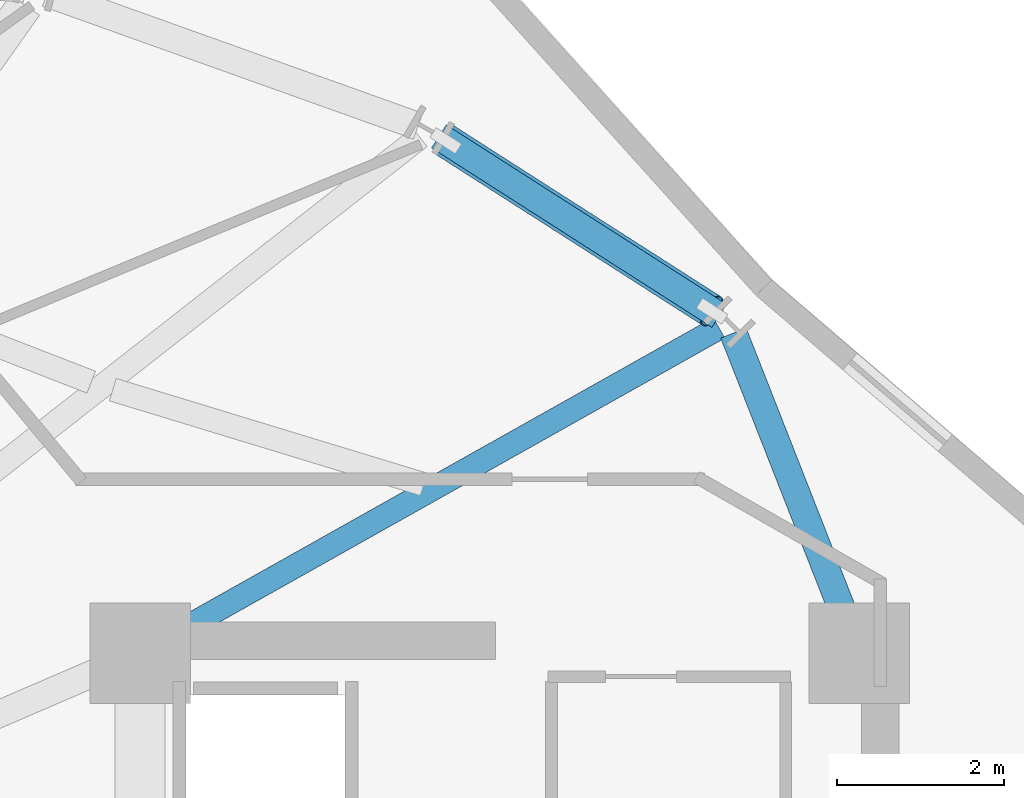
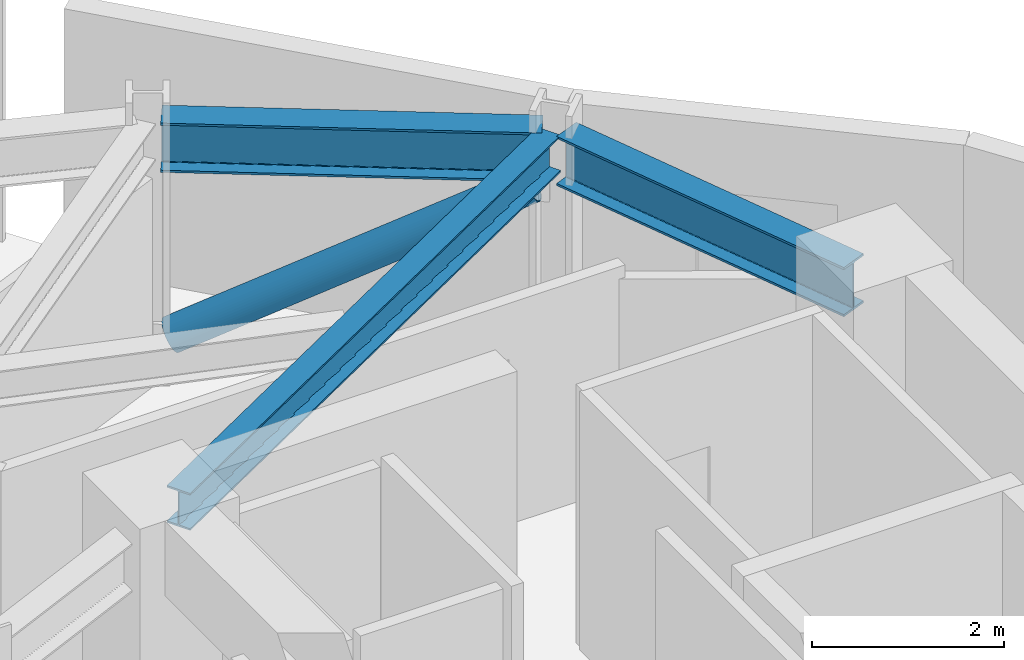
# One storey, part 12 of 24: 3 beams, 1 member.
"""IFC4 building model written with IfcOpenShell, lengths in metres."""

from ifc_helpers import new_model, si_unit, direction, frame, origin, origin_2d, place, context, subcontext, project, spatial, hollow_circle, i_section, extrude, material, material_profile, profile_set, type_object, element, save


model = new_model("IFC4")

# Units and contexts
model_context = context("Model", 3, precision=1e-05, world=origin(), true_north=direction((0.0, 1.0)))
body_context = subcontext(model_context, "Body", "Model", "MODEL_VIEW")
ifc_project = project(units=[si_unit("LENGTHUNIT", "METRE"), si_unit("AREAUNIT", "SQUARE_METRE"), si_unit("VOLUMEUNIT", "CUBIC_METRE"), si_unit("PLANEANGLEUNIT", "RADIAN"), si_unit("MASSUNIT", "GRAM", prefix="KILO")], contexts=[model_context])

# Site, building, storey
site_placement = place(None, origin())
site = spatial("IfcSite", under=ifc_project, at=site_placement, CompositionType="ELEMENT")
building_placement = place(site_placement, origin())
building = spatial("IfcBuilding", under=site, at=building_placement, Name="Solvane Sanctuary Tower", CompositionType="ELEMENT")
storey_placement = place(building_placement, frame((0.0, 0.0, 253.199951171875)))
storey = spatial("IfcBuildingStorey", under=building, at=storey_placement, Name="L77", CompositionType="ELEMENT", Elevation=253.199951171875)

# Beams
ifc_material = material(Name="Steel ASTM A992 Grade 50", Category="steel")
ifc_material_profile_1 = material_profile(ifc_material, i_section(OverallWidth=0.282958984375, OverallDepth=0.471923828125, WebThickness=0.013671875, FlangeThickness=0.022216796875, FilletRadius=0.013916015625, at=origin_2d()), Name="W18X97")
ifc_profile_set_1 = profile_set([ifc_material_profile_1], Name="Steel ASTM A992 Grade 50")
beam_type_1 = type_object("IfcBeamType", Name="Beam B-RAD-Z4 W18X97", PredefinedType="JOIST", material=ifc_profile_set_1)
beam_1_placement = place(storey_placement, frame((40.413818359375, 30.37646484375, 3.08203125), z_axis=(0.87176037811, 0.489932488367, 0.0), x_axis=(-0.489932488367, 0.87176037811, 0.0)))
element("IfcBeam", 1, at=beam_1_placement, inside=storey, type_object=beam_type_1, Name="L77 Radial Composite Floor Beam 01", PredefinedType="JOIST", context=body_context, shape_type="SweptSolid", body=[
    extrude(i_section(OverallWidth=0.282958984375, OverallDepth=0.471923828125, WebThickness=0.013671875, FlangeThickness=0.022216796875, FilletRadius=0.013916015625, at=origin_2d()), origin(), (0.0, 0.0, 1.0), 7.581298828125),
])
ifc_material_profile_2 = material_profile(ifc_material, i_section(OverallWidth=0.327880859375, OverallDepth=0.6279296875, WebThickness=0.0166015625, FlangeThickness=0.027587890625, FilletRadius=0.01611328125, at=origin_2d()), Name="W24X146")
ifc_profile_set_2 = profile_set([ifc_material_profile_2], Name="Steel ASTM A992 Grade 50")
beam_type_2 = type_object("IfcBeamType", Name="Beam B-SPAND-Z3 W24X146", PredefinedType="SPANDREL", material=ifc_profile_set_2)
beam_2_placement = place(storey_placement, frame((43.673095703125, 36.381591796875, 3.004150390625), z_axis=(0.842252471835, -0.539083271571, 0.0), x_axis=(0.539083271571, 0.842252471835, 0.0)))
element("IfcBeam", 2, at=beam_2_placement, inside=storey, type_object=beam_type_2, Name="L77 Perimeter Spandrel Beam TC02-TC01", PredefinedType="SPANDREL", context=body_context, shape_type="SweptSolid", body=[
    extrude(i_section(OverallWidth=0.327880859375, OverallDepth=0.6279296875, WebThickness=0.0166015625, FlangeThickness=0.027587890625, FilletRadius=0.01611328125, at=origin_2d()), origin(), (0.0, 0.0, 1.0), 3.982177734375),
])
beam_3_placement = place(storey_placement, frame((47.196044921875, 34.029052734375, 3.004150390625), z_axis=(0.365597204344, -0.930773164727, 0.0), x_axis=(0.930773164727, 0.365597204344, 0.0)))
element("IfcBeam", 3, at=beam_3_placement, inside=storey, type_object=beam_type_2, Name="L77 Perimeter Spandrel Beam TC01-CE3", PredefinedType="SPANDREL", context=body_context, shape_type="SweptSolid", body=[
    extrude(i_section(OverallWidth=0.327880859375, OverallDepth=0.6279296875, WebThickness=0.0166015625, FlangeThickness=0.027587890625, FilletRadius=0.01611328125, at=origin_2d()), origin(), (0.0, 0.0, 1.0), 3.833740234375),
])

# Member
ifc_material_profile_3 = material_profile(ifc_material, hollow_circle(Radius=0.202880859375, WallThickness=0.012451171875, at=origin_2d()), Name="CHS406X12.5")
ifc_profile_set_3 = profile_set([ifc_material_profile_3], Name="Steel ASTM A992 Grade 50")
member_type = type_object("IfcMemberType", Name="Member M-TUBE-Z3 CHS406X12.5", PredefinedType="BRACE", material=ifc_profile_set_3)
member_placement = place(storey_placement, frame((43.758544921875, 36.326904296875, 0.510986328125), z_axis=(0.740496381553, -0.473965461824, 0.476468099567), x_axis=(0.539092247698, 0.842246726602, 0.0)))
element("IfcMember", 4, at=member_placement, inside=storey, type_object=member_type, Name="L77 Perimeter Braced-Tube Diagonal NE", PredefinedType="BRACE", context=body_context, shape_type="SweptSolid", body=[
    extrude(hollow_circle(Radius=0.202880859375, WallThickness=0.012451171875, at=origin_2d()), origin(), (0.0, 0.0, 1.0), 4.292236328125),
])

save(model, "model.ifc")
